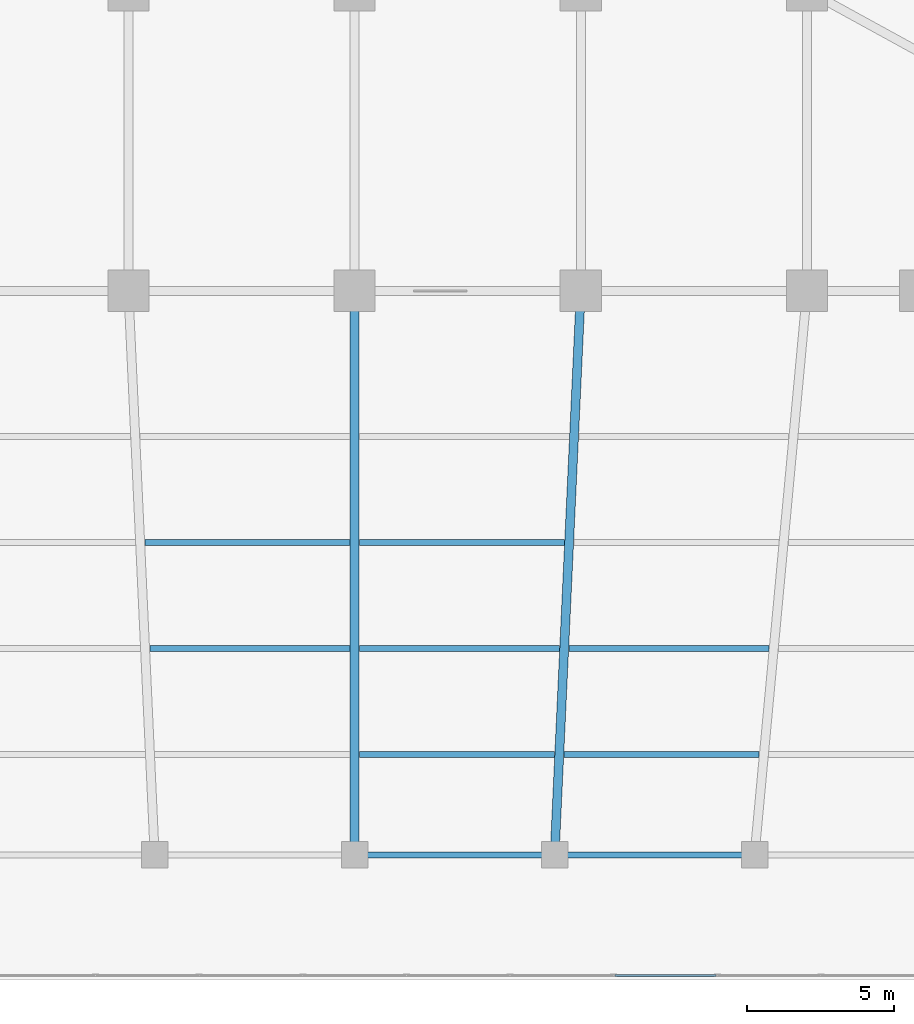
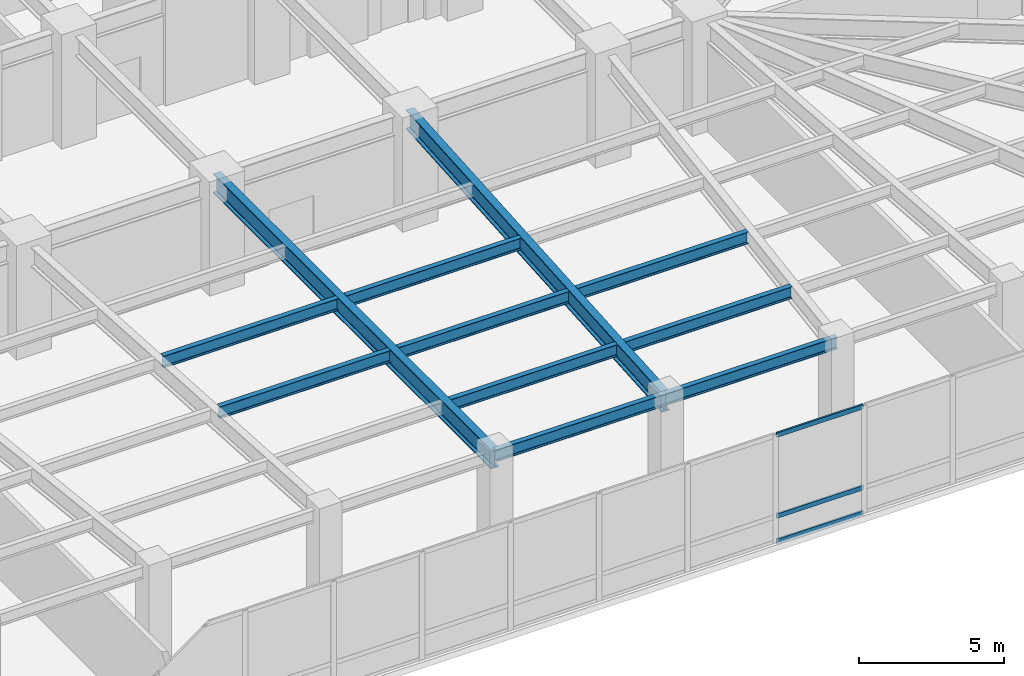
# One storey, part 7 of 19: 11 beams, 3 members, 1 element without a shape of its own.
"""IFC4 building model written with IfcOpenShell, lengths in metres."""

from ifc_helpers import new_model, si_unit, direction, frame, origin, origin_2d, place, context, subcontext, project, spatial, hollow_rectangle, i_section, extrude, material, material_profile, profile_set, type_object, element, aggregate, save


model = new_model("IFC4")

# Units and contexts
model_context = context("Model", 3, precision=1e-05, world=origin(), true_north=direction((0.0, 1.0)))
body_context = subcontext(model_context, "Body", "Model", "MODEL_VIEW")
ifc_project = project(units=[si_unit("LENGTHUNIT", "METRE"), si_unit("AREAUNIT", "SQUARE_METRE"), si_unit("VOLUMEUNIT", "CUBIC_METRE"), si_unit("PLANEANGLEUNIT", "RADIAN"), si_unit("MASSUNIT", "GRAM", prefix="KILO")], contexts=[model_context])

# Site, building, storey
site_placement = place(None, origin())
site = spatial("IfcSite", under=ifc_project, at=site_placement, CompositionType="ELEMENT")
building_placement = place(site_placement, origin())
building = spatial("IfcBuilding", under=site, at=building_placement, Name="Yelkora Congress Tower", CompositionType="ELEMENT")
storey_placement = place(building_placement, frame((0.0, 0.0, 15.60009765625)))
storey = spatial("IfcBuildingStorey", under=building, at=storey_placement, Name="L03", CompositionType="ELEMENT", Elevation=15.60009765625)

# Beams
ifc_material_1 = material(Name="Steel S460M", Category="steel")
ifc_material_profile_1 = material_profile(ifc_material_1, i_section(OverallWidth=0.302978515625, OverallDepth=0.81396484375, WebThickness=0.02099609375, FlangeThickness=0.0400390625, FilletRadius=0.030029296875, at=origin_2d()), Name="HEM 800")
ifc_profile_set_1 = profile_set([ifc_material_profile_1], Name="Steel S460M")
beam_type_1 = type_object("IfcBeamType", Name="BM-HALL-HEM800", PredefinedType="BEAM", material=ifc_profile_set_1)
beam_1_placement = place(storey_placement, frame((38.39990234375, 6.050048828125, 4.1328125), z_axis=(0.0, 1.0, 0.0), x_axis=(-1.0, 0.0, 0.0)))
element("IfcBeam", 1, at=beam_1_placement, inside=storey, type_object=beam_type_1, Name="L03 Primary Frame Girder PS06", PredefinedType="BEAM", context=body_context, shape_type="SweptSolid", body=[
    extrude(i_section(OverallWidth=0.302978515625, OverallDepth=0.81396484375, WebThickness=0.02099609375, FlangeThickness=0.0400390625, FilletRadius=0.030029296875, at=origin_2d()), origin(), (0.0, 0.0, 1.0), 19.14990234375),
])
beam_2_placement = place(storey_placement, frame((45.18994140625, 6.050048828125, 4.1328125), z_axis=(0.046432437641, 0.998921432714, 0.0), x_axis=(-0.998921432714, 0.046432437641, 0.0)))
element("IfcBeam", 2, at=beam_2_placement, inside=storey, type_object=beam_type_1, Name="L03 Primary Frame Girder PS07", PredefinedType="BEAM", context=body_context, shape_type="SweptSolid", body=[
    extrude(i_section(OverallWidth=0.302978515625, OverallDepth=0.81396484375, WebThickness=0.02099609375, FlangeThickness=0.0400390625, FilletRadius=0.030029296875, at=origin_2d()), origin(), (0.0, 0.0, 1.0), 19.170654296875),
])
ifc_material_2 = material(Name="Steel S355J2", Category="steel")
ifc_material_profile_2 = material_profile(ifc_material_2, i_section(OverallWidth=0.199951171875, OverallDepth=0.5, WebThickness=0.01025390625, FlangeThickness=0.01611328125, FilletRadius=0.02099609375, at=origin_2d()), Name="IPE 500")
ifc_profile_set_2 = profile_set([ifc_material_profile_2], Name="Steel S355J2")
beam_type_2 = type_object("IfcBeamType", Name="BM-JOIST-IPE500", PredefinedType="JOIST", material=ifc_profile_set_2)
for number, where, z_axis, x_axis, name in (
    (3, (38.56005859375, 9.449951171875, 4.289794921875), (1.0, 0.0, 0.0), (0.0, 1.0, 0.0), "L03 Composite Floor Joist 6"),
    (4, (45.508056640625, 9.449951171875, 4.289794921875), (1.0, 0.0, 0.0), (0.0, 1.0, 0.0), "L03 Composite Floor Joist 7"),
):
    element("IfcBeam", number, at=place(storey_placement, frame(where, z_axis=z_axis, x_axis=x_axis)), inside=storey, type_object=beam_type_2, Name=name, PredefinedType="JOIST", context=body_context, shape_type="SweptSolid", body=[
        extrude(i_section(OverallWidth=0.199951171875, OverallDepth=0.5, WebThickness=0.01025390625, FlangeThickness=0.01611328125, FilletRadius=0.02099609375, at=origin_2d()), origin(), (0.0, 0.0, 1.0), 6.6279296875),
    ])
beam_3_placement = place(storey_placement, frame((31.444580078125, 13.050048828125, 4.289794921875), z_axis=(1.0, 0.0, 0.0), x_axis=(0.0, 1.0, 0.0)))
element("IfcBeam", 5, at=beam_3_placement, inside=storey, type_object=beam_type_2, Name="L03 Composite Floor Joist 15", PredefinedType="JOIST", context=body_context, shape_type="SweptSolid", body=[
    extrude(i_section(OverallWidth=0.199951171875, OverallDepth=0.5, WebThickness=0.01025390625, FlangeThickness=0.01611328125, FilletRadius=0.02099609375, at=origin_2d()), origin(), (0.0, 0.0, 1.0), 6.79541015625),
])
beam_4_placement = place(storey_placement, frame((38.56005859375, 13.050048828125, 4.289794921875), z_axis=(1.0, 0.0, 0.0), x_axis=(0.0, 1.0, 0.0)))
element("IfcBeam", 6, at=beam_4_placement, inside=storey, type_object=beam_type_2, Name="L03 Composite Floor Joist 16", PredefinedType="JOIST", context=body_context, shape_type="SweptSolid", body=[
    extrude(i_section(OverallWidth=0.199951171875, OverallDepth=0.5, WebThickness=0.01025390625, FlangeThickness=0.01611328125, FilletRadius=0.02099609375, at=origin_2d()), origin(), (0.0, 0.0, 1.0), 6.795166015625),
])
beam_5_placement = place(storey_placement, frame((45.67529296875, 13.050048828125, 4.289794921875), z_axis=(1.0, 0.0, 0.0), x_axis=(0.0, 1.0, 0.0)))
element("IfcBeam", 7, at=beam_5_placement, inside=storey, type_object=beam_type_2, Name="L03 Composite Floor Joist 17", PredefinedType="JOIST", context=body_context, shape_type="SweptSolid", body=[
    extrude(i_section(OverallWidth=0.199951171875, OverallDepth=0.5, WebThickness=0.01025390625, FlangeThickness=0.01611328125, FilletRadius=0.02099609375, at=origin_2d()), origin(), (0.0, 0.0, 1.0), 6.79541015625),
])
for number, where, z_axis, x_axis, name in (
    (8, (31.27734375, 16.64990234375, 4.289794921875), (1.0, 0.0, 0.0), (0.0, 1.0, 0.0), "L03 Composite Floor Joist 25"),
    (9, (38.56005859375, 16.64990234375, 4.289794921875), (1.0, 0.0, 0.0), (0.0, 1.0, 0.0), "L03 Composite Floor Joist 26"),
):
    element("IfcBeam", number, at=place(storey_placement, frame(where, z_axis=z_axis, x_axis=x_axis)), inside=storey, type_object=beam_type_2, Name=name, PredefinedType="JOIST", context=body_context, shape_type="SweptSolid", body=[
        extrude(i_section(OverallWidth=0.199951171875, OverallDepth=0.5, WebThickness=0.01025390625, FlangeThickness=0.01611328125, FilletRadius=0.02099609375, at=origin_2d()), origin(), (0.0, 0.0, 1.0), 6.962646484375),
    ])
ifc_material_profile_3 = material_profile(ifc_material_2, i_section(OverallWidth=0.199951171875, OverallDepth=0.5, WebThickness=0.01025390625, FlangeThickness=0.01611328125, FilletRadius=0.02099609375, at=origin_2d()), Name="IPE 500")
ifc_profile_set_3 = profile_set([ifc_material_profile_3], Name="Steel S355J2")
beam_type_3 = type_object("IfcBeamType", Name="BM-SPAN-IPE500B", PredefinedType="BEAM", material=ifc_profile_set_3)
for number, where, z_axis, x_axis, name in (
    (10, (38.39990234375, 6.050048828125, 4.289794921875), (1.0, 0.0, 0.0), (0.0, 1.0, 0.0), "L03 Perimeter Beam 7"),
    (11, (45.18994140625, 6.050048828125, 4.289794921875), (1.0, 0.0, 0.0), (0.0, 1.0, 0.0), "L03 Perimeter Beam 8"),
):
    element("IfcBeam", number, at=place(storey_placement, frame(where, z_axis=z_axis, x_axis=x_axis)), inside=storey, type_object=beam_type_3, Name=name, PredefinedType="BEAM", context=body_context, shape_type="SweptSolid", body=[
        extrude(i_section(OverallWidth=0.199951171875, OverallDepth=0.5, WebThickness=0.01025390625, FlangeThickness=0.01611328125, FilletRadius=0.02099609375, at=origin_2d()), origin(), (0.0, 0.0, 1.0), 6.7900390625),
    ])

# Curtain wall, members
ifc_material_3 = material(Name="Anodised aluminium and insulated glass", Category="aluminium")
curtain_wall_type = type_object("IfcCurtainWallType", Name="CW-SYS-POD", PredefinedType="NOTDEFINED", material=ifc_material_3)
curtain_wall_placement = place(storey_placement, origin())
curtain_wall = element("IfcCurtainWall", 12, at=curtain_wall_placement, inside=storey, type_object=curtain_wall_type, Name="L03 Podium South Curtain Wall", PredefinedType="NOTDEFINED")
ifc_material_4 = material(Name="Anodised aluminium 6063-T6", Category="aluminium")
ifc_material_profile_4 = material_profile(ifc_material_4, hollow_rectangle(XDim=0.070068359375, YDim=0.18994140625, WallThickness=0.00390625, at=origin_2d()), Name="ALU 70x190x4")
ifc_profile_set_4 = profile_set([ifc_material_profile_4], Name="Anodised aluminium 6063-T6")
member_type = type_object("IfcMemberType", Name="MEM-TR-POD", PredefinedType="USERDEFINED", material=ifc_profile_set_4)
member_1_placement = place(storey_placement, frame((50.67578125, 1.9599609375, 0.034912109375), z_axis=(-1.0, 0.0, 0.0), x_axis=(0.0, -1.0, 0.0)))
member_1 = element("IfcMember", 13, at=member_1_placement, type_object=member_type, Name="CW-POD transom 8.1", ObjectType="TRANSOM", PredefinedType="USERDEFINED", context=body_context, shape_type="SweptSolid", body=[
    extrude(hollow_rectangle(XDim=0.070068359375, YDim=0.18994140625, WallThickness=0.00390625, at=origin_2d()), origin(), (0.0, 0.0, 1.0), 3.443115234375),
])
member_2_placement = place(storey_placement, frame((50.67578125, 1.9599609375, 1.099853515625), z_axis=(-1.0, 0.0, 0.0), x_axis=(0.0, -1.0, 0.0)))
member_2 = element("IfcMember", 14, at=member_2_placement, type_object=member_type, Name="CW-POD transom 8.2", ObjectType="TRANSOM", PredefinedType="USERDEFINED", context=body_context, shape_type="SweptSolid", body=[
    extrude(hollow_rectangle(XDim=0.070068359375, YDim=0.18994140625, WallThickness=0.00390625, at=origin_2d()), origin(), (0.0, 0.0, 1.0), 3.443115234375),
])
member_3_placement = place(storey_placement, frame((50.67578125, 1.9599609375, 4.5048828125), z_axis=(-1.0, 0.0, 0.0), x_axis=(0.0, -1.0, 0.0)))
member_3 = element("IfcMember", 15, at=member_3_placement, type_object=member_type, Name="CW-POD transom 8.3", ObjectType="TRANSOM", PredefinedType="USERDEFINED", context=body_context, shape_type="SweptSolid", body=[
    extrude(hollow_rectangle(XDim=0.070068359375, YDim=0.18994140625, WallThickness=0.00390625, at=origin_2d()), origin(), (0.0, 0.0, 1.0), 3.443115234375),
])
aggregate(curtain_wall, [member_1, member_2, member_3])

save(model, "model.ifc")
